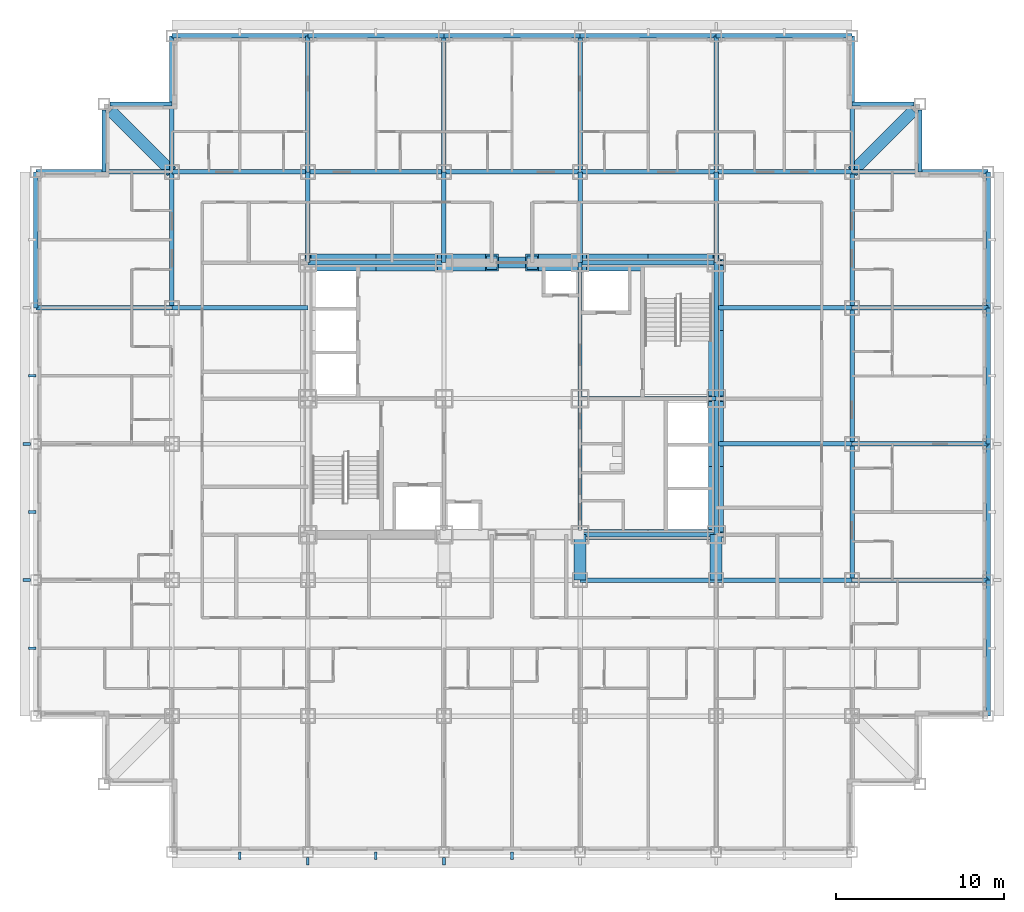
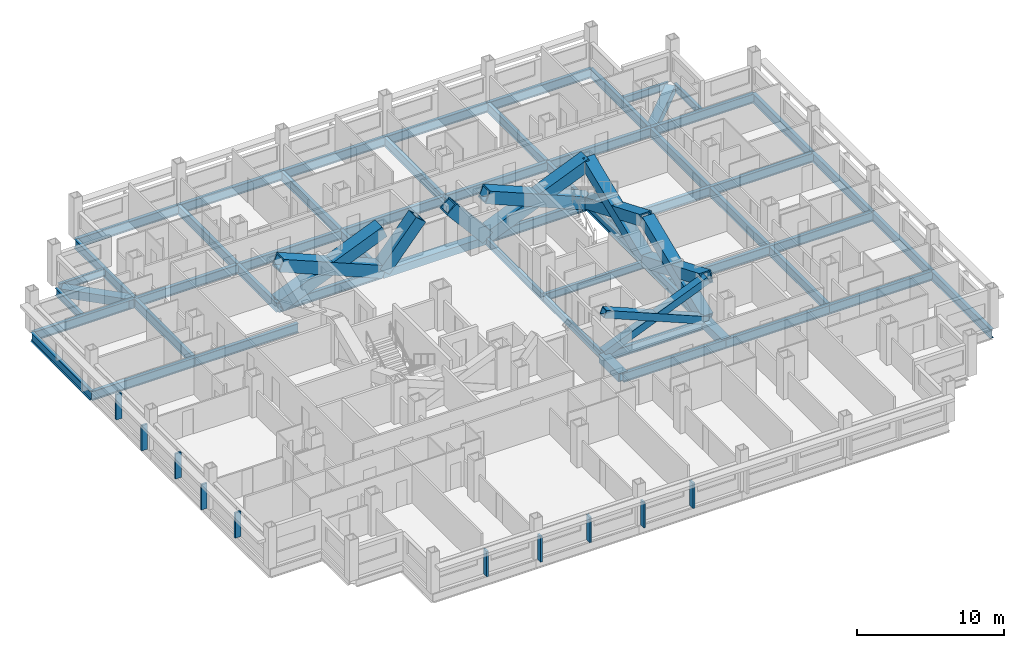
# One storey, part 2 of 15: 57 beams, 12 members, 10 plates.
"""IFC4 building model written with IfcOpenShell, lengths in metres."""

from ifc_helpers import new_model, si_unit, direction, frame, origin, origin_2d, place, context, subcontext, project, spatial, rectangle, hollow_rectangle, i_section, extrude, material, layer, layer_set, material_profile, profile_set, type_object, element, save


model = new_model("IFC4")

# Units and contexts
model_context = context("Model", 3, precision=1e-05, world=origin(), true_north=direction((0.0, 1.0)))
body_context = subcontext(model_context, "Body", "Model", "MODEL_VIEW")
ifc_project = project(units=[si_unit("LENGTHUNIT", "METRE"), si_unit("AREAUNIT", "SQUARE_METRE"), si_unit("VOLUMEUNIT", "CUBIC_METRE"), si_unit("PLANEANGLEUNIT", "RADIAN"), si_unit("MASSUNIT", "GRAM", prefix="KILO")], contexts=[model_context])

# Site, building, storey
site_placement = place(None, origin())
site = spatial("IfcSite", under=ifc_project, at=site_placement, CompositionType="ELEMENT")
building_placement = place(site_placement, origin())
building = spatial("IfcBuilding", under=site, at=building_placement, Name="Kopane Lantern Tower", CompositionType="ELEMENT")
storey_placement = place(building_placement, frame((0.0, 0.0, 154.39990234375)))
storey = spatial("IfcBuildingStorey", under=building, at=storey_placement, Name="L40", CompositionType="ELEMENT", Elevation=154.39990234375)

# Members
ifc_material_1 = material(Name="Steel S355JR", Category="steel")
ifc_material_profile_1 = material_profile(ifc_material_1, hollow_rectangle(XDim=1.0, YDim=1.0, WallThickness=0.10009765625, at=origin_2d()), Name="BOX 1000x1000x100")
ifc_profile_set_1 = profile_set([ifc_material_profile_1], Name="Steel S355JR")
member_type_1 = type_object("IfcMemberType", Name="BRACE BOX 1000x1000x100", PredefinedType="BRACE", material=ifc_profile_set_1)
for number, where, z_axis, x_axis, name in (
    (1, (16.199951171875, 40.5, -0.2099609375), (0.923680358627, 0.0, 0.383163927174), (0.0, 1.0, 0.0), "Core brace L40"),
    (2, (24.300048828125, 40.5, -0.2099609375), (-0.923680358627, 0.0, 0.383163927174), (0.0, -1.0, 0.0), "Core brace L40"),
):
    element("IfcMember", number, at=place(storey_placement, frame(where, z_axis=z_axis, x_axis=x_axis)), inside=storey, type_object=member_type_1, Name=name, PredefinedType="BRACE", context=body_context, shape_type="SweptSolid", body=[
        extrude(hollow_rectangle(XDim=1.0, YDim=1.0, WallThickness=0.10009765625, at=origin_2d()), origin(), (0.0, 0.0, 1.0), 8.769287109375),
    ])
for number, where, z_axis, x_axis, name in (
    (3, (24.300048828125, 40.5, -0.2099609375), (0.646826109676, 0.0, 0.762637517987), (0.0, 1.0, 0.0), "Core brace L40"),
    (4, (32.39990234375, 40.5, -0.2099609375), (-0.646826109676, 0.0, 0.762637517987), (0.0, -1.0, 0.0), "Core brace L40"),
):
    element("IfcMember", number, at=place(storey_placement, frame(where, z_axis=z_axis, x_axis=x_axis)), inside=storey, type_object=member_type_1, Name=name, PredefinedType="BRACE", context=body_context, shape_type="SweptSolid", body=[
        extrude(hollow_rectangle(XDim=1.0, YDim=1.0, WallThickness=0.10009765625, at=origin_2d()), origin(), (0.0, 0.0, 1.0), 4.406005859375),
    ])
for number, where, z_axis, x_axis, name in (
    (5, (32.39990234375, 40.5, -0.2099609375), (0.923680358627, 0.0, 0.383163927174), (0.0, 1.0, 0.0), "Core brace L40"),
    (6, (40.5, 40.5, -0.2099609375), (-0.923680358627, 0.0, 0.383163927174), (0.0, -1.0, 0.0), "Core brace L40"),
):
    element("IfcMember", number, at=place(storey_placement, frame(where, z_axis=z_axis, x_axis=x_axis)), inside=storey, type_object=member_type_1, Name=name, PredefinedType="BRACE", context=body_context, shape_type="SweptSolid", body=[
        extrude(hollow_rectangle(XDim=1.0, YDim=1.0, WallThickness=0.10009765625, at=origin_2d()), origin(), (0.0, 0.0, 1.0), 8.769287109375),
    ])
ifc_material_2 = material(Name="Steel S355JR", Category="steel")
ifc_material_profile_2 = material_profile(ifc_material_2, hollow_rectangle(XDim=0.60009765625, YDim=0.60009765625, WallThickness=0.050048828125, at=origin_2d()), Name="BOX 600x600x50")
ifc_profile_set_2 = profile_set([ifc_material_profile_2], Name="Steel S355JR")
member_type_2 = type_object("IfcMemberType", Name="BRACE BOX 600x600x50", PredefinedType="BRACE", material=ifc_profile_set_2)
for number, where, z_axis, x_axis, name in (
    (7, (32.39990234375, 24.300048828125, -0.2099609375), (0.923680358627, 0.0, 0.383163927174), (0.0, 1.0, 0.0), "Core brace L40"),
    (8, (40.5, 24.300048828125, -0.2099609375), (-0.923680358627, 0.0, 0.383163927174), (0.0, -1.0, 0.0), "Core brace L40"),
):
    element("IfcMember", number, at=place(storey_placement, frame(where, z_axis=z_axis, x_axis=x_axis)), inside=storey, type_object=member_type_2, Name=name, PredefinedType="BRACE", context=body_context, shape_type="SweptSolid", body=[
        extrude(hollow_rectangle(XDim=0.60009765625, YDim=0.60009765625, WallThickness=0.050048828125, at=origin_2d()), origin(), (0.0, 0.0, 1.0), 8.769287109375),
    ])
ifc_material_3 = material(Name="Steel S355JR", Category="steel")
ifc_material_profile_3 = material_profile(ifc_material_3, hollow_rectangle(XDim=0.89990234375, YDim=0.89990234375, WallThickness=0.090087890625, at=origin_2d()), Name="BOX 900x900x90")
ifc_profile_set_3 = profile_set([ifc_material_profile_3], Name="Steel S355JR")
member_type_3 = type_object("IfcMemberType", Name="BRACE BOX 900x900x90", PredefinedType="BRACE", material=ifc_profile_set_3)
for number, where, z_axis, x_axis, name in (
    (9, (40.5, 24.300048828125, -0.2099609375), (0.0, 0.923676271129, 0.383173780618), (-1.0, 0.0, 0.0), "Core brace L40"),
    (10, (40.5, 32.39990234375, -0.2099609375), (0.0, -0.923676271129, 0.383173780618), (1.0, 0.0, 0.0), "Core brace L40"),
):
    element("IfcMember", number, at=place(storey_placement, frame(where, z_axis=z_axis, x_axis=x_axis)), inside=storey, type_object=member_type_3, Name=name, PredefinedType="BRACE", context=body_context, shape_type="SweptSolid", body=[
        extrude(hollow_rectangle(XDim=0.89990234375, YDim=0.89990234375, WallThickness=0.090087890625, at=origin_2d()), origin(), (0.0, 0.0, 1.0), 8.76904296875),
    ])
for number, where, z_axis, x_axis, name in (
    (11, (40.5, 32.39990234375, -0.2099609375), (0.0, 0.923680358627, 0.383163927174), (-1.0, 0.0, 0.0), "Core brace L40"),
    (12, (40.5, 40.5, -0.2099609375), (0.0, -0.923680358627, 0.383163927174), (1.0, 0.0, 0.0), "Core brace L40"),
):
    element("IfcMember", number, at=place(storey_placement, frame(where, z_axis=z_axis, x_axis=x_axis)), inside=storey, type_object=member_type_3, Name=name, PredefinedType="BRACE", context=body_context, shape_type="SweptSolid", body=[
        extrude(hollow_rectangle(XDim=0.89990234375, YDim=0.89990234375, WallThickness=0.090087890625, at=origin_2d()), origin(), (0.0, 0.0, 1.0), 8.769287109375),
    ])

# Beams
ifc_material_4 = material(Name="Steel S355JR", Category="steel")
ifc_material_profile_4 = material_profile(ifc_material_4, i_section(OverallWidth=0.22900390625, OverallDepth=0.6123046875, WebThickness=0.011962890625, FlangeThickness=0.01953125, FilletRadius=0.0126953125, at=origin_2d()), Name="UB 610x229x125")
ifc_profile_set_4 = profile_set([ifc_material_profile_4], Name="Steel S355JR")
beam_type_1 = type_object("IfcBeamType", Name="CORE BEAM UB 610x229x125", PredefinedType="BEAM", material=ifc_profile_set_4)
beam_1_placement = place(storey_placement, frame((32.39990234375, 24.300048828125, -0.51611328125), z_axis=(0.0, 1.0, 0.0), x_axis=(-1.0, 0.0, 0.0)))
element("IfcBeam", 13, at=beam_1_placement, inside=storey, type_object=beam_type_1, Name="Core Beam L40", PredefinedType="BEAM", context=body_context, shape_type="SweptSolid", body=[
    extrude(i_section(OverallWidth=0.22900390625, OverallDepth=0.6123046875, WebThickness=0.011962890625, FlangeThickness=0.01953125, FilletRadius=0.0126953125, at=origin_2d()), origin(), (0.0, 0.0, 1.0), 8.099853515625),
])
for number, where, z_axis, x_axis, name in (
    (14, (32.39990234375, 32.39990234375, -0.51611328125), (0.0, 1.0, 0.0), (-1.0, 0.0, 0.0), "Core Beam L40"),
    (15, (32.39990234375, 32.39990234375, -0.51611328125), (1.0, 0.0, 0.0), (0.0, 1.0, 0.0), "Core Beam L40"),
):
    element("IfcBeam", number, at=place(storey_placement, frame(where, z_axis=z_axis, x_axis=x_axis)), inside=storey, type_object=beam_type_1, Name=name, PredefinedType="BEAM", context=body_context, shape_type="SweptSolid", body=[
        extrude(i_section(OverallWidth=0.22900390625, OverallDepth=0.6123046875, WebThickness=0.011962890625, FlangeThickness=0.01953125, FilletRadius=0.0126953125, at=origin_2d()), origin(), (0.0, 0.0, 1.0), 8.10009765625),
    ])
ifc_material_5 = material(Name="Steel S355JR", Category="steel")
ifc_material_profile_5 = material_profile(ifc_material_5, hollow_rectangle(XDim=0.699951171875, YDim=0.699951171875, WallThickness=0.06005859375, at=origin_2d()), Name="BOX 700x700x60")
ifc_profile_set_5 = profile_set([ifc_material_profile_5], Name="Steel S355JR")
beam_type_2 = type_object("IfcBeamType", Name="CORNER TIE BEAM BOX 700x700x60", PredefinedType="BEAM", material=ifc_profile_set_5)
beam_2_placement = place(storey_placement, frame((4.447509765625, 49.552490234375, -0.559814453125), z_axis=(0.707106781187, -0.707106781187, 0.0), x_axis=(0.707106781187, 0.707106781187, 0.0)))
element("IfcBeam", 16, at=beam_2_placement, inside=storey, type_object=beam_type_2, Name="Corner Tie Beam L40", PredefinedType="BEAM", context=body_context, shape_type="SweptSolid", body=[
    extrude(hollow_rectangle(XDim=0.699951171875, YDim=0.699951171875, WallThickness=0.06005859375, at=origin_2d()), origin(), (0.0, 0.0, 1.0), 5.16552734375),
])
beam_3_placement = place(storey_placement, frame((52.25244140625, 49.552490234375, -0.559814453125), z_axis=(-0.707083148333, -0.70713041325, 0.0), x_axis=(0.70713041325, -0.707083148333, 0.0)))
element("IfcBeam", 17, at=beam_3_placement, inside=storey, type_object=beam_type_2, Name="Corner Tie Beam L40", PredefinedType="BEAM", context=body_context, shape_type="SweptSolid", body=[
    extrude(hollow_rectangle(XDim=0.699951171875, YDim=0.699951171875, WallThickness=0.06005859375, at=origin_2d()), origin(), (0.0, 0.0, 1.0), 5.165283203125),
])
ifc_material_6 = material(Name="Steel S355JR", Category="steel")
ifc_material_profile_6 = material_profile(ifc_material_6, i_section(OverallWidth=0.22900390625, OverallDepth=0.6123046875, WebThickness=0.011962890625, FlangeThickness=0.01953125, FilletRadius=0.0126953125, at=origin_2d()), Name="UB 610x229x125")
ifc_profile_set_6 = profile_set([ifc_material_profile_6], Name="Steel S355JR")
beam_type_3 = type_object("IfcBeamType", Name="EDGE BEAM UB 610x229x125", PredefinedType="BEAM", material=ifc_profile_set_6)
for number, where, z_axis, x_axis, name in (
    (18, (4.050048828125, 49.60009765625, -0.51611328125), (0.0, -1.0, 0.0), (1.0, 0.0, 0.0), "Edge Beam L40"),
    (19, (4.39990234375, 49.949951171875, -0.51611328125), (1.0, 0.0, 0.0), (0.0, 1.0, 0.0), "Edge Beam L40"),
):
    element("IfcBeam", number, at=place(storey_placement, frame(where, z_axis=z_axis, x_axis=x_axis)), inside=storey, type_object=beam_type_3, Name=name, PredefinedType="BEAM", context=body_context, shape_type="SweptSolid", body=[
        extrude(i_section(OverallWidth=0.22900390625, OverallDepth=0.6123046875, WebThickness=0.011962890625, FlangeThickness=0.01953125, FilletRadius=0.0126953125, at=origin_2d()), origin(), (0.0, 0.0, 1.0), 3.7001953125),
    ])
beam_4_placement = place(storey_placement, frame((52.300048828125, 49.949951171875, -0.51611328125), z_axis=(-1.0, 0.0, 0.0), x_axis=(0.0, -1.0, 0.0)))
element("IfcBeam", 20, at=beam_4_placement, inside=storey, type_object=beam_type_3, Name="Edge Beam L40", PredefinedType="BEAM", context=body_context, shape_type="SweptSolid", body=[
    extrude(i_section(OverallWidth=0.22900390625, OverallDepth=0.6123046875, WebThickness=0.011962890625, FlangeThickness=0.01953125, FilletRadius=0.0126953125, at=origin_2d()), origin(), (0.0, 0.0, 1.0), 3.699951171875),
])
beam_5_placement = place(storey_placement, frame((52.64990234375, 49.60009765625, -0.51611328125), z_axis=(0.0, -1.0, 0.0), x_axis=(1.0, 0.0, 0.0)))
element("IfcBeam", 21, at=beam_5_placement, inside=storey, type_object=beam_type_3, Name="Edge Beam L40", PredefinedType="BEAM", context=body_context, shape_type="SweptSolid", body=[
    extrude(i_section(OverallWidth=0.22900390625, OverallDepth=0.6123046875, WebThickness=0.011962890625, FlangeThickness=0.01953125, FilletRadius=0.0126953125, at=origin_2d()), origin(), (0.0, 0.0, 1.0), 3.7001953125),
])
ifc_material_7 = material(Name="Steel S355JR", Category="steel")
ifc_material_profile_7 = material_profile(ifc_material_7, hollow_rectangle(XDim=0.699951171875, YDim=0.699951171875, WallThickness=0.06005859375, at=origin_2d()), Name="BOX 700x700x60")
ifc_profile_set_7 = profile_set([ifc_material_profile_7], Name="Steel S355JR")
beam_type_4 = type_object("IfcBeamType", Name="GIRDER BOX 700x700x60", PredefinedType="BEAM", material=ifc_profile_set_7)
for number, where, z_axis, x_axis, name in (
    (22, (32.39990234375, 21.60009765625, -0.559814453125), (0.0, 1.0, 0.0), (-1.0, 0.0, 0.0), "Girder L40"),
    (23, (40.5, 21.60009765625, -0.559814453125), (0.0, 1.0, 0.0), (-1.0, 0.0, 0.0), "Girder L40"),
):
    element("IfcBeam", number, at=place(storey_placement, frame(where, z_axis=z_axis, x_axis=x_axis)), inside=storey, type_object=beam_type_4, Name=name, PredefinedType="BEAM", context=body_context, shape_type="SweptSolid", body=[
        extrude(hollow_rectangle(XDim=0.699951171875, YDim=0.699951171875, WallThickness=0.06005859375, at=origin_2d()), origin(), (0.0, 0.0, 1.0), 2.699951171875),
    ])
ifc_material_8 = material(Name="Steel S355JR", Category="steel")
ifc_material_profile_8 = material_profile(ifc_material_8, i_section(OverallWidth=0.26806640625, OverallDepth=0.769775390625, WebThickness=0.015625, FlangeThickness=0.025390625, FilletRadius=0.0166015625, at=origin_2d()), Name="UB 762x267x197")
ifc_profile_set_8 = profile_set([ifc_material_profile_8], Name="Steel S355JR")
beam_type_5 = type_object("IfcBeamType", Name="GIRDER UB 762x267x197", PredefinedType="BEAM", material=ifc_profile_set_8)
beam_6_placement = place(storey_placement, frame((0.0, 37.800048828125, -0.5947265625), z_axis=(0.0, 1.0, 0.0), x_axis=(-1.0, 0.0, 0.0)))
element("IfcBeam", 24, at=beam_6_placement, inside=storey, type_object=beam_type_5, Name="Girder L40", PredefinedType="BEAM", context=body_context, shape_type="SweptSolid", body=[
    extrude(i_section(OverallWidth=0.26806640625, OverallDepth=0.769775390625, WebThickness=0.015625, FlangeThickness=0.025390625, FilletRadius=0.0166015625, at=origin_2d()), origin(), (0.0, 0.0, 1.0), 8.099853515625),
])
for number, where, z_axis, x_axis, name in (
    (25, (0.0, 37.800048828125, -0.5947265625), (1.0, 0.0, 0.0), (0.0, 1.0, 0.0), "Girder L40"),
    (26, (0.0, 45.89990234375, -0.5947265625), (1.0, 0.0, 0.0), (0.0, 1.0, 0.0), "Girder L40"),
):
    element("IfcBeam", number, at=place(storey_placement, frame(where, z_axis=z_axis, x_axis=x_axis)), inside=storey, type_object=beam_type_5, Name=name, PredefinedType="BEAM", context=body_context, shape_type="SweptSolid", body=[
        extrude(i_section(OverallWidth=0.26806640625, OverallDepth=0.769775390625, WebThickness=0.015625, FlangeThickness=0.025390625, FilletRadius=0.0166015625, at=origin_2d()), origin(), (0.0, 0.0, 1.0), 8.10009765625),
    ])
for number, where, z_axis, x_axis, name in (
    (27, (8.10009765625, 37.800048828125, -0.5947265625), (0.0, 1.0, 0.0), (-1.0, 0.0, 0.0), "Girder L40"),
    (28, (8.10009765625, 37.800048828125, -0.5947265625), (1.0, 0.0, 0.0), (0.0, 1.0, 0.0), "Girder L40"),
):
    element("IfcBeam", number, at=place(storey_placement, frame(where, z_axis=z_axis, x_axis=x_axis)), inside=storey, type_object=beam_type_5, Name=name, PredefinedType="BEAM", context=body_context, shape_type="SweptSolid", body=[
        extrude(i_section(OverallWidth=0.26806640625, OverallDepth=0.769775390625, WebThickness=0.015625, FlangeThickness=0.025390625, FilletRadius=0.0166015625, at=origin_2d()), origin(), (0.0, 0.0, 1.0), 8.099853515625),
    ])
beam_7_placement = place(storey_placement, frame((8.10009765625, 45.89990234375, -0.5947265625), z_axis=(0.0, 1.0, 0.0), x_axis=(-1.0, 0.0, 0.0)))
element("IfcBeam", 29, at=beam_7_placement, inside=storey, type_object=beam_type_5, Name="Girder L40", PredefinedType="BEAM", context=body_context, shape_type="SweptSolid", body=[
    extrude(i_section(OverallWidth=0.26806640625, OverallDepth=0.769775390625, WebThickness=0.015625, FlangeThickness=0.025390625, FilletRadius=0.0166015625, at=origin_2d()), origin(), (0.0, 0.0, 1.0), 8.10009765625),
])
for number, where, z_axis, x_axis, name in (
    (30, (8.10009765625, 45.89990234375, -0.5947265625), (1.0, 0.0, 0.0), (0.0, 1.0, 0.0), "Girder L40"),
    (31, (8.10009765625, 54.0, -0.5947265625), (1.0, 0.0, 0.0), (0.0, 1.0, 0.0), "Girder L40"),
):
    element("IfcBeam", number, at=place(storey_placement, frame(where, z_axis=z_axis, x_axis=x_axis)), inside=storey, type_object=beam_type_5, Name=name, PredefinedType="BEAM", context=body_context, shape_type="SweptSolid", body=[
        extrude(i_section(OverallWidth=0.26806640625, OverallDepth=0.769775390625, WebThickness=0.015625, FlangeThickness=0.025390625, FilletRadius=0.0166015625, at=origin_2d()), origin(), (0.0, 0.0, 1.0), 8.099853515625),
    ])
beam_8_placement = place(storey_placement, frame((16.199951171875, 40.5, -0.5947265625), z_axis=(0.0, 1.0, 0.0), x_axis=(-1.0, 0.0, 0.0)))
element("IfcBeam", 32, at=beam_8_placement, inside=storey, type_object=beam_type_5, Name="Girder L40", PredefinedType="BEAM", context=body_context, shape_type="SweptSolid", body=[
    extrude(i_section(OverallWidth=0.26806640625, OverallDepth=0.769775390625, WebThickness=0.015625, FlangeThickness=0.025390625, FilletRadius=0.0166015625, at=origin_2d()), origin(), (0.0, 0.0, 1.0), 5.39990234375),
])
for number, where, z_axis, x_axis, name in (
    (33, (16.199951171875, 40.5, -0.5947265625), (1.0, 0.0, 0.0), (0.0, 1.0, 0.0), "Girder L40"),
    (34, (16.199951171875, 45.89990234375, -0.5947265625), (0.0, 1.0, 0.0), (-1.0, 0.0, 0.0), "Girder L40"),
    (35, (16.199951171875, 45.89990234375, -0.5947265625), (1.0, 0.0, 0.0), (0.0, 1.0, 0.0), "Girder L40"),
    (36, (16.199951171875, 54.0, -0.5947265625), (1.0, 0.0, 0.0), (0.0, 1.0, 0.0), "Girder L40"),
):
    element("IfcBeam", number, at=place(storey_placement, frame(where, z_axis=z_axis, x_axis=x_axis)), inside=storey, type_object=beam_type_5, Name=name, PredefinedType="BEAM", context=body_context, shape_type="SweptSolid", body=[
        extrude(i_section(OverallWidth=0.26806640625, OverallDepth=0.769775390625, WebThickness=0.015625, FlangeThickness=0.025390625, FilletRadius=0.0166015625, at=origin_2d()), origin(), (0.0, 0.0, 1.0), 8.10009765625),
    ])
beam_9_placement = place(storey_placement, frame((24.300048828125, 40.5, -0.5947265625), z_axis=(0.0, 1.0, 0.0), x_axis=(-1.0, 0.0, 0.0)))
element("IfcBeam", 37, at=beam_9_placement, inside=storey, type_object=beam_type_5, Name="Girder L40", PredefinedType="BEAM", context=body_context, shape_type="SweptSolid", body=[
    extrude(i_section(OverallWidth=0.26806640625, OverallDepth=0.769775390625, WebThickness=0.015625, FlangeThickness=0.025390625, FilletRadius=0.0166015625, at=origin_2d()), origin(), (0.0, 0.0, 1.0), 5.39990234375),
])
beam_10_placement = place(storey_placement, frame((24.300048828125, 45.89990234375, -0.5947265625), z_axis=(0.0, 1.0, 0.0), x_axis=(-1.0, 0.0, 0.0)))
element("IfcBeam", 38, at=beam_10_placement, inside=storey, type_object=beam_type_5, Name="Girder L40", PredefinedType="BEAM", context=body_context, shape_type="SweptSolid", body=[
    extrude(i_section(OverallWidth=0.26806640625, OverallDepth=0.769775390625, WebThickness=0.015625, FlangeThickness=0.025390625, FilletRadius=0.0166015625, at=origin_2d()), origin(), (0.0, 0.0, 1.0), 8.10009765625),
])
for number, where, z_axis, x_axis, name in (
    (39, (24.300048828125, 45.89990234375, -0.5947265625), (1.0, 0.0, 0.0), (0.0, 1.0, 0.0), "Girder L40"),
    (40, (24.300048828125, 54.0, -0.5947265625), (1.0, 0.0, 0.0), (0.0, 1.0, 0.0), "Girder L40"),
):
    element("IfcBeam", number, at=place(storey_placement, frame(where, z_axis=z_axis, x_axis=x_axis)), inside=storey, type_object=beam_type_5, Name=name, PredefinedType="BEAM", context=body_context, shape_type="SweptSolid", body=[
        extrude(i_section(OverallWidth=0.26806640625, OverallDepth=0.769775390625, WebThickness=0.015625, FlangeThickness=0.025390625, FilletRadius=0.0166015625, at=origin_2d()), origin(), (0.0, 0.0, 1.0), 8.099853515625),
    ])
for number, where, z_axis, x_axis, name in (
    (41, (32.39990234375, 21.60009765625, -0.5947265625), (1.0, 0.0, 0.0), (0.0, 1.0, 0.0), "Girder L40"),
    (42, (32.39990234375, 24.300048828125, -0.5947265625), (1.0, 0.0, 0.0), (0.0, 1.0, 0.0), "Girder L40"),
):
    element("IfcBeam", number, at=place(storey_placement, frame(where, z_axis=z_axis, x_axis=x_axis)), inside=storey, type_object=beam_type_5, Name=name, PredefinedType="BEAM", context=body_context, shape_type="SweptSolid", body=[
        extrude(i_section(OverallWidth=0.26806640625, OverallDepth=0.769775390625, WebThickness=0.015625, FlangeThickness=0.025390625, FilletRadius=0.0166015625, at=origin_2d()), origin(), (0.0, 0.0, 1.0), 8.10009765625),
    ])
beam_11_placement = place(storey_placement, frame((32.39990234375, 40.5, -0.5947265625), z_axis=(0.0, 1.0, 0.0), x_axis=(-1.0, 0.0, 0.0)))
element("IfcBeam", 43, at=beam_11_placement, inside=storey, type_object=beam_type_5, Name="Girder L40", PredefinedType="BEAM", context=body_context, shape_type="SweptSolid", body=[
    extrude(i_section(OverallWidth=0.26806640625, OverallDepth=0.769775390625, WebThickness=0.015625, FlangeThickness=0.025390625, FilletRadius=0.0166015625, at=origin_2d()), origin(), (0.0, 0.0, 1.0), 5.39990234375),
])
for number, where, z_axis, x_axis, name in (
    (44, (32.39990234375, 40.5, -0.5947265625), (1.0, 0.0, 0.0), (0.0, 1.0, 0.0), "Girder L40"),
    (45, (32.39990234375, 45.89990234375, -0.5947265625), (0.0, 1.0, 0.0), (-1.0, 0.0, 0.0), "Girder L40"),
    (46, (32.39990234375, 45.89990234375, -0.5947265625), (1.0, 0.0, 0.0), (0.0, 1.0, 0.0), "Girder L40"),
    (47, (32.39990234375, 54.0, -0.5947265625), (1.0, 0.0, 0.0), (0.0, 1.0, 0.0), "Girder L40"),
    (48, (40.5, 21.60009765625, -0.5947265625), (1.0, 0.0, 0.0), (0.0, 1.0, 0.0), "Girder L40"),
):
    element("IfcBeam", number, at=place(storey_placement, frame(where, z_axis=z_axis, x_axis=x_axis)), inside=storey, type_object=beam_type_5, Name=name, PredefinedType="BEAM", context=body_context, shape_type="SweptSolid", body=[
        extrude(i_section(OverallWidth=0.26806640625, OverallDepth=0.769775390625, WebThickness=0.015625, FlangeThickness=0.025390625, FilletRadius=0.0166015625, at=origin_2d()), origin(), (0.0, 0.0, 1.0), 8.10009765625),
    ])
beam_12_placement = place(storey_placement, frame((40.5, 24.300048828125, -0.5947265625), z_axis=(0.0, 1.0, 0.0), x_axis=(-1.0, 0.0, 0.0)))
element("IfcBeam", 49, at=beam_12_placement, inside=storey, type_object=beam_type_5, Name="Girder L40", PredefinedType="BEAM", context=body_context, shape_type="SweptSolid", body=[
    extrude(i_section(OverallWidth=0.26806640625, OverallDepth=0.769775390625, WebThickness=0.015625, FlangeThickness=0.025390625, FilletRadius=0.0166015625, at=origin_2d()), origin(), (0.0, 0.0, 1.0), 8.099853515625),
])
for number, where, z_axis, x_axis, name in (
    (50, (40.5, 29.699951171875, -0.5947265625), (1.0, 0.0, 0.0), (0.0, 1.0, 0.0), "Girder L40"),
    (51, (40.5, 32.39990234375, -0.5947265625), (0.0, 1.0, 0.0), (-1.0, 0.0, 0.0), "Girder L40"),
    (52, (40.5, 37.800048828125, -0.5947265625), (1.0, 0.0, 0.0), (0.0, 1.0, 0.0), "Girder L40"),
):
    element("IfcBeam", number, at=place(storey_placement, frame(where, z_axis=z_axis, x_axis=x_axis)), inside=storey, type_object=beam_type_5, Name=name, PredefinedType="BEAM", context=body_context, shape_type="SweptSolid", body=[
        extrude(i_section(OverallWidth=0.26806640625, OverallDepth=0.769775390625, WebThickness=0.015625, FlangeThickness=0.025390625, FilletRadius=0.0166015625, at=origin_2d()), origin(), (0.0, 0.0, 1.0), 8.10009765625),
    ])
beam_13_placement = place(storey_placement, frame((40.5, 40.5, -0.5947265625), z_axis=(0.0, 1.0, 0.0), x_axis=(-1.0, 0.0, 0.0)))
element("IfcBeam", 53, at=beam_13_placement, inside=storey, type_object=beam_type_5, Name="Girder L40", PredefinedType="BEAM", context=body_context, shape_type="SweptSolid", body=[
    extrude(i_section(OverallWidth=0.26806640625, OverallDepth=0.769775390625, WebThickness=0.015625, FlangeThickness=0.025390625, FilletRadius=0.0166015625, at=origin_2d()), origin(), (0.0, 0.0, 1.0), 5.39990234375),
])
for number, where, z_axis, x_axis, name in (
    (54, (40.5, 45.89990234375, -0.5947265625), (0.0, 1.0, 0.0), (-1.0, 0.0, 0.0), "Girder L40"),
    (55, (40.5, 45.89990234375, -0.5947265625), (1.0, 0.0, 0.0), (0.0, 1.0, 0.0), "Girder L40"),
    (56, (40.5, 54.0, -0.5947265625), (1.0, 0.0, 0.0), (0.0, 1.0, 0.0), "Girder L40"),
):
    element("IfcBeam", number, at=place(storey_placement, frame(where, z_axis=z_axis, x_axis=x_axis)), inside=storey, type_object=beam_type_5, Name=name, PredefinedType="BEAM", context=body_context, shape_type="SweptSolid", body=[
        extrude(i_section(OverallWidth=0.26806640625, OverallDepth=0.769775390625, WebThickness=0.015625, FlangeThickness=0.025390625, FilletRadius=0.0166015625, at=origin_2d()), origin(), (0.0, 0.0, 1.0), 8.10009765625),
    ])
for number, where, z_axis, x_axis, name in (
    (57, (48.60009765625, 21.60009765625, -0.5947265625), (0.0, 1.0, 0.0), (-1.0, 0.0, 0.0), "Girder L40"),
    (58, (48.60009765625, 21.60009765625, -0.5947265625), (1.0, 0.0, 0.0), (0.0, 1.0, 0.0), "Girder L40"),
):
    element("IfcBeam", number, at=place(storey_placement, frame(where, z_axis=z_axis, x_axis=x_axis)), inside=storey, type_object=beam_type_5, Name=name, PredefinedType="BEAM", context=body_context, shape_type="SweptSolid", body=[
        extrude(i_section(OverallWidth=0.26806640625, OverallDepth=0.769775390625, WebThickness=0.015625, FlangeThickness=0.025390625, FilletRadius=0.0166015625, at=origin_2d()), origin(), (0.0, 0.0, 1.0), 8.099853515625),
    ])
beam_14_placement = place(storey_placement, frame((48.60009765625, 29.699951171875, -0.5947265625), z_axis=(0.0, 1.0, 0.0), x_axis=(-1.0, 0.0, 0.0)))
element("IfcBeam", 59, at=beam_14_placement, inside=storey, type_object=beam_type_5, Name="Girder L40", PredefinedType="BEAM", context=body_context, shape_type="SweptSolid", body=[
    extrude(i_section(OverallWidth=0.26806640625, OverallDepth=0.769775390625, WebThickness=0.015625, FlangeThickness=0.025390625, FilletRadius=0.0166015625, at=origin_2d()), origin(), (0.0, 0.0, 1.0), 8.10009765625),
])
for number, where, z_axis, x_axis, name in (
    (60, (48.60009765625, 29.699951171875, -0.5947265625), (1.0, 0.0, 0.0), (0.0, 1.0, 0.0), "Girder L40"),
    (61, (48.60009765625, 37.800048828125, -0.5947265625), (0.0, 1.0, 0.0), (-1.0, 0.0, 0.0), "Girder L40"),
    (62, (48.60009765625, 37.800048828125, -0.5947265625), (1.0, 0.0, 0.0), (0.0, 1.0, 0.0), "Girder L40"),
):
    element("IfcBeam", number, at=place(storey_placement, frame(where, z_axis=z_axis, x_axis=x_axis)), inside=storey, type_object=beam_type_5, Name=name, PredefinedType="BEAM", context=body_context, shape_type="SweptSolid", body=[
        extrude(i_section(OverallWidth=0.26806640625, OverallDepth=0.769775390625, WebThickness=0.015625, FlangeThickness=0.025390625, FilletRadius=0.0166015625, at=origin_2d()), origin(), (0.0, 0.0, 1.0), 8.099853515625),
    ])
beam_15_placement = place(storey_placement, frame((48.60009765625, 45.89990234375, -0.5947265625), z_axis=(0.0, 1.0, 0.0), x_axis=(-1.0, 0.0, 0.0)))
element("IfcBeam", 63, at=beam_15_placement, inside=storey, type_object=beam_type_5, Name="Girder L40", PredefinedType="BEAM", context=body_context, shape_type="SweptSolid", body=[
    extrude(i_section(OverallWidth=0.26806640625, OverallDepth=0.769775390625, WebThickness=0.015625, FlangeThickness=0.025390625, FilletRadius=0.0166015625, at=origin_2d()), origin(), (0.0, 0.0, 1.0), 8.10009765625),
])
beam_16_placement = place(storey_placement, frame((48.60009765625, 45.89990234375, -0.5947265625), z_axis=(1.0, 0.0, 0.0), x_axis=(0.0, 1.0, 0.0)))
element("IfcBeam", 64, at=beam_16_placement, inside=storey, type_object=beam_type_5, Name="Girder L40", PredefinedType="BEAM", context=body_context, shape_type="SweptSolid", body=[
    extrude(i_section(OverallWidth=0.26806640625, OverallDepth=0.769775390625, WebThickness=0.015625, FlangeThickness=0.025390625, FilletRadius=0.0166015625, at=origin_2d()), origin(), (0.0, 0.0, 1.0), 8.099853515625),
])
beam_17_placement = place(storey_placement, frame((56.699951171875, 13.5, -0.5947265625), z_axis=(0.0, 1.0, 0.0), x_axis=(-1.0, 0.0, 0.0)))
element("IfcBeam", 65, at=beam_17_placement, inside=storey, type_object=beam_type_5, Name="Girder L40", PredefinedType="BEAM", context=body_context, shape_type="SweptSolid", body=[
    extrude(i_section(OverallWidth=0.26806640625, OverallDepth=0.769775390625, WebThickness=0.015625, FlangeThickness=0.025390625, FilletRadius=0.0166015625, at=origin_2d()), origin(), (0.0, 0.0, 1.0), 8.10009765625),
])
beam_18_placement = place(storey_placement, frame((56.699951171875, 21.60009765625, -0.5947265625), z_axis=(0.0, 1.0, 0.0), x_axis=(-1.0, 0.0, 0.0)))
element("IfcBeam", 66, at=beam_18_placement, inside=storey, type_object=beam_type_5, Name="Girder L40", PredefinedType="BEAM", context=body_context, shape_type="SweptSolid", body=[
    extrude(i_section(OverallWidth=0.26806640625, OverallDepth=0.769775390625, WebThickness=0.015625, FlangeThickness=0.025390625, FilletRadius=0.0166015625, at=origin_2d()), origin(), (0.0, 0.0, 1.0), 8.099853515625),
])
beam_19_placement = place(storey_placement, frame((56.699951171875, 29.699951171875, -0.5947265625), z_axis=(0.0, 1.0, 0.0), x_axis=(-1.0, 0.0, 0.0)))
element("IfcBeam", 67, at=beam_19_placement, inside=storey, type_object=beam_type_5, Name="Girder L40", PredefinedType="BEAM", context=body_context, shape_type="SweptSolid", body=[
    extrude(i_section(OverallWidth=0.26806640625, OverallDepth=0.769775390625, WebThickness=0.015625, FlangeThickness=0.025390625, FilletRadius=0.0166015625, at=origin_2d()), origin(), (0.0, 0.0, 1.0), 8.10009765625),
])
beam_20_placement = place(storey_placement, frame((56.699951171875, 37.800048828125, -0.5947265625), z_axis=(0.0, 1.0, 0.0), x_axis=(-1.0, 0.0, 0.0)))
element("IfcBeam", 68, at=beam_20_placement, inside=storey, type_object=beam_type_5, Name="Girder L40", PredefinedType="BEAM", context=body_context, shape_type="SweptSolid", body=[
    extrude(i_section(OverallWidth=0.26806640625, OverallDepth=0.769775390625, WebThickness=0.015625, FlangeThickness=0.025390625, FilletRadius=0.0166015625, at=origin_2d()), origin(), (0.0, 0.0, 1.0), 8.099853515625),
])
ifc_material_9 = material(Name="Steel S355JR", Category="steel")
ifc_material_profile_9 = material_profile(ifc_material_9, hollow_rectangle(XDim=0.64990234375, YDim=0.64990234375, WallThickness=0.070068359375, at=origin_2d()), Name="BOX 650x650x70")
ifc_profile_set_9 = profile_set([ifc_material_profile_9], Name="Steel S355JR")
beam_type_6 = type_object("IfcBeamType", Name="LINK BEAM BOX 650x650x70", PredefinedType="BEAM", material=ifc_profile_set_9)
beam_21_placement = place(storey_placement, frame((24.300048828125, 40.5, -0.534912109375), z_axis=(1.0, 0.0, 0.0), x_axis=(0.0, 1.0, 0.0)))
element("IfcBeam", 69, at=beam_21_placement, inside=storey, type_object=beam_type_6, Name="Link Beam L40", PredefinedType="BEAM", context=body_context, shape_type="SweptSolid", body=[
    extrude(hollow_rectangle(XDim=0.64990234375, YDim=0.64990234375, WallThickness=0.070068359375, at=origin_2d()), origin(), (0.0, 0.0, 1.0), 8.099853515625),
])

# Plates
ifc_material_10 = material(Name="Terracotta rainscreen on light steel framing", Category="masonry")
ifc_layer = layer(ifc_material_10, 0.14990234375)
ifc_layer_set = layer_set([ifc_layer], Name="TERRACOTTA FIN TF1 150x450")
plate_type = type_object("IfcPlateType", Name="TERRACOTTA FIN TF1 150x450", PredefinedType="USERDEFINED", material=ifc_layer_set)
for number, where, z_axis, x_axis, name in (
    (70, (12.14990234375, 5.175048828125, 0.0), (0.0, 0.0, 1.0), (1.0, 0.0, 0.0), "Terracotta fin L40"),
    (71, (16.199951171875, 4.85009765625, 0.0), (0.0, 0.0, 1.0), (1.0, 0.0, 0.0), "Terracotta fin L40"),
    (72, (20.25, 5.175048828125, 0.0), (0.0, 0.0, 1.0), (1.0, 0.0, 0.0), "Terracotta fin L40"),
    (73, (24.300048828125, 4.85009765625, 0.0), (0.0, 0.0, 1.0), (1.0, 0.0, 0.0), "Terracotta fin L40"),
    (74, (28.35009765625, 5.175048828125, 0.0), (0.0, 0.0, 1.0), (1.0, 0.0, 0.0), "Terracotta fin L40"),
    (75, (-0.22509765625, 33.75, 0.0), (0.0, 0.0, 1.0), (0.0, -1.0, 0.0), "Terracotta fin L40"),
    (76, (-0.550048828125, 29.699951171875, 0.0), (0.0, 0.0, 1.0), (0.0, -1.0, 0.0), "Terracotta fin L40"),
    (77, (-0.22509765625, 25.64990234375, 0.0), (0.0, 0.0, 1.0), (0.0, -1.0, 0.0), "Terracotta fin L40"),
    (78, (-0.550048828125, 21.60009765625, 0.0), (0.0, 0.0, 1.0), (0.0, -1.0, 0.0), "Terracotta fin L40"),
    (79, (-0.22509765625, 17.550048828125, 0.0), (0.0, 0.0, 1.0), (0.0, -1.0, 0.0), "Terracotta fin L40"),
):
    element("IfcPlate", number, at=place(storey_placement, frame(where, z_axis=z_axis, x_axis=x_axis)), inside=storey, type_object=plate_type, Name=name, ObjectType="TERRACOTTA FIN", PredefinedType="USERDEFINED", context=body_context, shape_type="SweptSolid", body=[
        extrude(rectangle(XDim=0.14990234375, YDim=0.449951171875, at=origin_2d()), origin(), (0.0, 0.0, 1.0), 2.10009765625),
    ])

save(model, "model.ifc")
